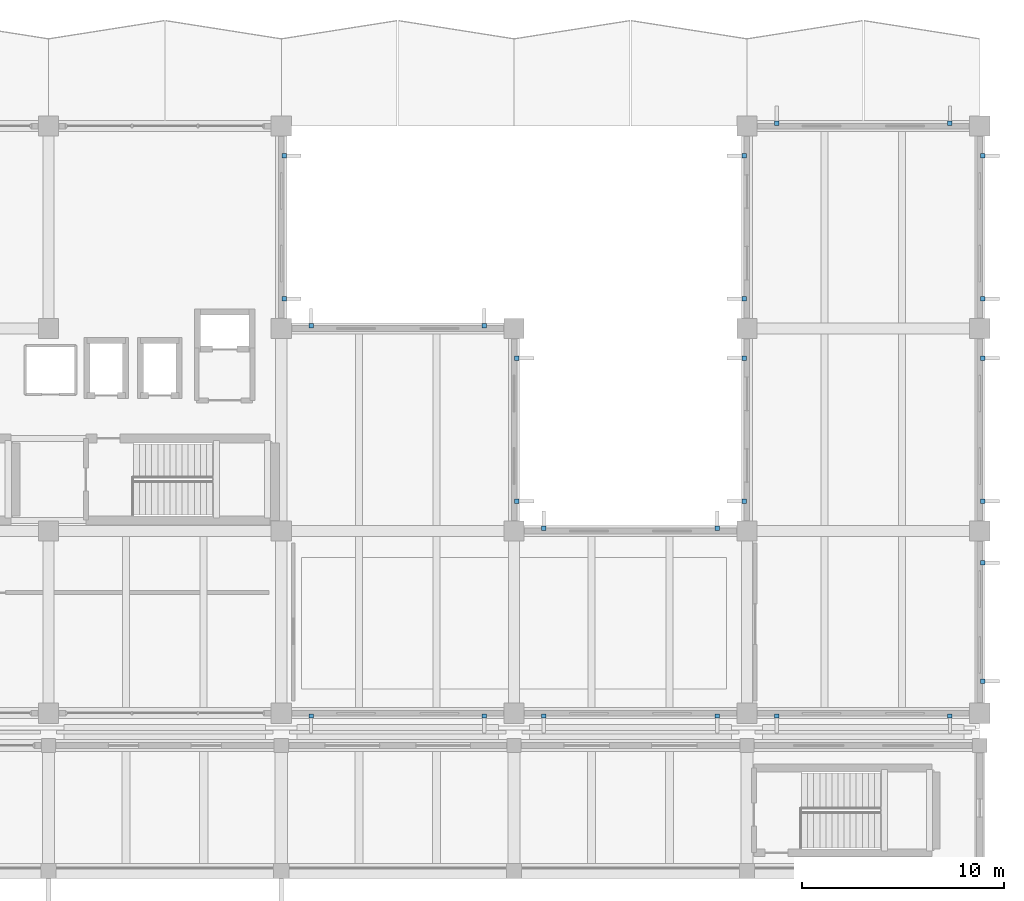
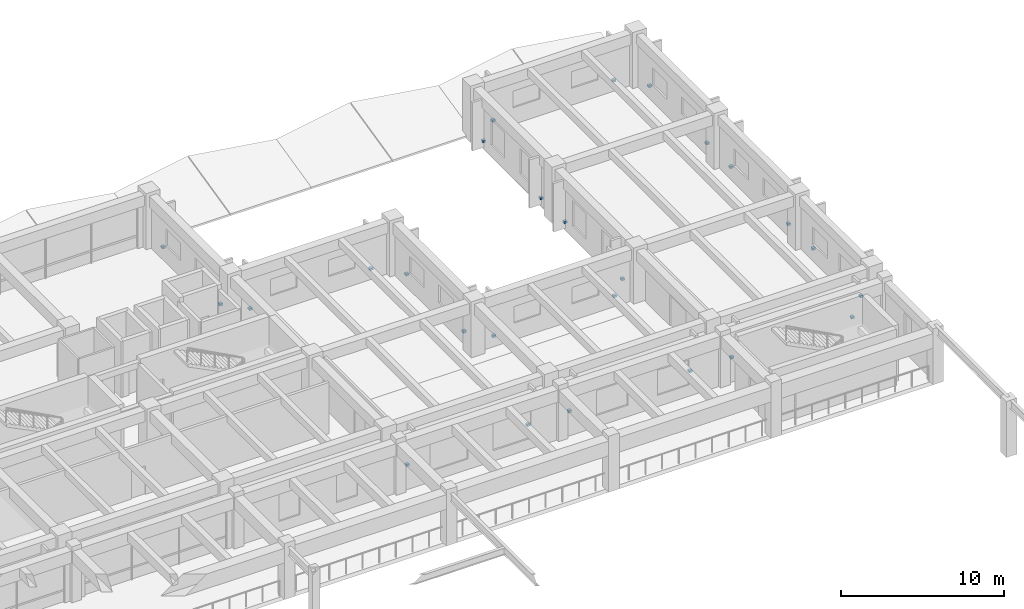
# One storey, part 88 of 98: 26 discrete accessories.
"""IFC4 building model written with IfcOpenShell, lengths in metres."""

from ifc_helpers import new_model, si_unit, direction, frame, origin, origin_2d, place, context, subcontext, project, spatial, rectangle, extrude, material, type_object, element, save


model = new_model("IFC4")

# Units and contexts
model_context = context("Model", 3, precision=1e-05, world=origin(), true_north=direction((0.0, 1.0)))
body_context = subcontext(model_context, "Body", "Model", "MODEL_VIEW")
ifc_project = project(units=[si_unit("LENGTHUNIT", "METRE"), si_unit("AREAUNIT", "SQUARE_METRE"), si_unit("VOLUMEUNIT", "CUBIC_METRE"), si_unit("PLANEANGLEUNIT", "RADIAN"), si_unit("MASSUNIT", "GRAM", prefix="KILO")], contexts=[model_context])

# Site, building, storey
site_placement = place(None, origin())
site = spatial("IfcSite", under=ifc_project, at=site_placement, CompositionType="ELEMENT")
building_placement = place(site_placement, origin())
building = spatial("IfcBuilding", under=site, at=building_placement, Name="Ologun Quay Terminus", CompositionType="ELEMENT")
storey_placement = place(building_placement, frame((0.0, 0.0, 4.199951171875)))
storey = spatial("IfcBuildingStorey", under=building, at=storey_placement, Name="L01", CompositionType="ELEMENT", Elevation=4.199951171875)

# Discrete accessories
ifc_material = material(Name="Steel S355", Category="steel")
discrete_accessory_type = type_object("IfcDiscreteAccessoryType", Name="Solar Fin Stainless Support Bracket", PredefinedType="BRACKET", material=ifc_material)
for number, where, z_axis, x_axis, name in (
    (1, (150.969970703125, 85.659912109375, 0.52001953125), (0.0, 0.0, 1.0), (1.0, 0.0, 0.0), "BRK-01 Solar Fin Bracket WEW-EW-L01-4-1"),
    (2, (159.530029296875, 85.659912109375, 0.52001953125), (0.0, 0.0, 1.0), (1.0, 0.0, 0.0), "BRK-01 Solar Fin Bracket WEW-EW-L01-4-2"),
    (3, (162.469970703125, 85.659912109375, 0.52001953125), (0.0, 0.0, 1.0), (1.0, 0.0, 0.0), "BRK-01 Solar Fin Bracket WEW-EW-L01-5-1"),
    (4, (171.030029296875, 85.659912109375, 0.52001953125), (0.0, 0.0, 1.0), (1.0, 0.0, 0.0), "BRK-01 Solar Fin Bracket WEW-EW-L01-5-2"),
    (5, (173.969970703125, 85.659912109375, 0.52001953125), (0.0, 0.0, 1.0), (1.0, 0.0, 0.0), "BRK-01 Solar Fin Bracket WEW-EW-L01-6-1"),
    (6, (182.530029296875, 85.659912109375, 0.52001953125), (0.0, 0.0, 1.0), (1.0, 0.0, 0.0), "BRK-01 Solar Fin Bracket WEW-EW-L01-6-2"),
    (7, (184.139892578125, 87.3701171875, 0.52001953125), (0.0, 0.0, 1.0), (1.0, 0.0, 0.0), "BRK-01 Solar Fin Bracket WEW-EW-L01-7-1"),
    (8, (184.139892578125, 93.22998046875, 0.52001953125), (0.0, 0.0, 1.0), (1.0, 0.0, 0.0), "BRK-01 Solar Fin Bracket WEW-EW-L01-7-2"),
    (9, (184.139892578125, 96.27001953125, 0.52001953125), (0.0, 0.0, 1.0), (1.0, 0.0, 0.0), "BRK-01 Solar Fin Bracket WEW-EW-L01-8-1"),
    (10, (184.139892578125, 103.330078125, 0.52001953125), (0.0, 0.0, 1.0), (1.0, 0.0, 0.0), "BRK-01 Solar Fin Bracket WEW-EW-L01-8-2"),
    (11, (184.139892578125, 106.27001953125, 0.52001953125), (0.0, 0.0, 1.0), (1.0, 0.0, 0.0), "BRK-01 Solar Fin Bracket WEW-EW-L01-9-1"),
    (12, (184.139892578125, 113.330078125, 0.52001953125), (0.0, 0.0, 1.0), (1.0, 0.0, 0.0), "BRK-01 Solar Fin Bracket WEW-EW-L01-9-2"),
    (13, (173.969970703125, 114.93994140625, 0.52001953125), (0.0, 0.0, 1.0), (1.0, 0.0, 0.0), "BRK-01 Solar Fin Bracket WEW-EW-L01-10-1"),
    (14, (182.530029296875, 114.93994140625, 0.52001953125), (0.0, 0.0, 1.0), (1.0, 0.0, 0.0), "BRK-01 Solar Fin Bracket WEW-EW-L01-10-2"),
    (15, (172.360107421875, 96.27001953125, 0.52001953125), (0.0, 0.0, 1.0), (1.0, 0.0, 0.0), "BRK-01 Solar Fin Bracket WEW-EW-L01-11-1"),
    (16, (172.360107421875, 103.330078125, 0.52001953125), (0.0, 0.0, 1.0), (1.0, 0.0, 0.0), "BRK-01 Solar Fin Bracket WEW-EW-L01-11-2"),
    (17, (172.360107421875, 106.27001953125, 0.52001953125), (0.0, 0.0, 1.0), (1.0, 0.0, 0.0), "BRK-01 Solar Fin Bracket WEW-EW-L01-12-1"),
    (18, (172.360107421875, 113.330078125, 0.52001953125), (0.0, 0.0, 1.0), (1.0, 0.0, 0.0), "BRK-01 Solar Fin Bracket WEW-EW-L01-12-2"),
    (19, (162.469970703125, 94.93994140625, 0.52001953125), (0.0, 0.0, 1.0), (1.0, 0.0, 0.0), "BRK-01 Solar Fin Bracket WEW-EW-L01-13-1"),
    (20, (171.030029296875, 94.93994140625, 0.52001953125), (0.0, 0.0, 1.0), (1.0, 0.0, 0.0), "BRK-01 Solar Fin Bracket WEW-EW-L01-13-2"),
    (21, (161.139892578125, 96.27001953125, 0.52001953125), (0.0, 0.0, 1.0), (1.0, 0.0, 0.0), "BRK-01 Solar Fin Bracket WEW-EW-L01-14-1"),
    (22, (161.139892578125, 103.330078125, 0.52001953125), (0.0, 0.0, 1.0), (1.0, 0.0, 0.0), "BRK-01 Solar Fin Bracket WEW-EW-L01-14-2"),
    (23, (150.969970703125, 104.93994140625, 0.52001953125), (0.0, 0.0, 1.0), (1.0, 0.0, 0.0), "BRK-01 Solar Fin Bracket WEW-EW-L01-15-1"),
    (24, (159.530029296875, 104.93994140625, 0.52001953125), (0.0, 0.0, 1.0), (1.0, 0.0, 0.0), "BRK-01 Solar Fin Bracket WEW-EW-L01-15-2"),
    (25, (149.639892578125, 106.27001953125, 0.52001953125), (0.0, 0.0, 1.0), (1.0, 0.0, 0.0), "BRK-01 Solar Fin Bracket WEW-EW-L01-16-1"),
    (26, (149.639892578125, 113.330078125, 0.52001953125), (0.0, 0.0, 1.0), (1.0, 0.0, 0.0), "BRK-01 Solar Fin Bracket WEW-EW-L01-16-2"),
):
    element("IfcDiscreteAccessory", number, at=place(storey_placement, frame(where, z_axis=z_axis, x_axis=x_axis)), inside=storey, type_object=discrete_accessory_type, Name=name, PredefinedType="BRACKET", context=body_context, shape_type="SweptSolid", body=[
        extrude(rectangle(XDim=0.219970703125, YDim=0.219970703125, at=origin_2d()), origin(), (0.0, 0.0, 1.0), 0.159912109375),
    ])

save(model, "model.ifc")
